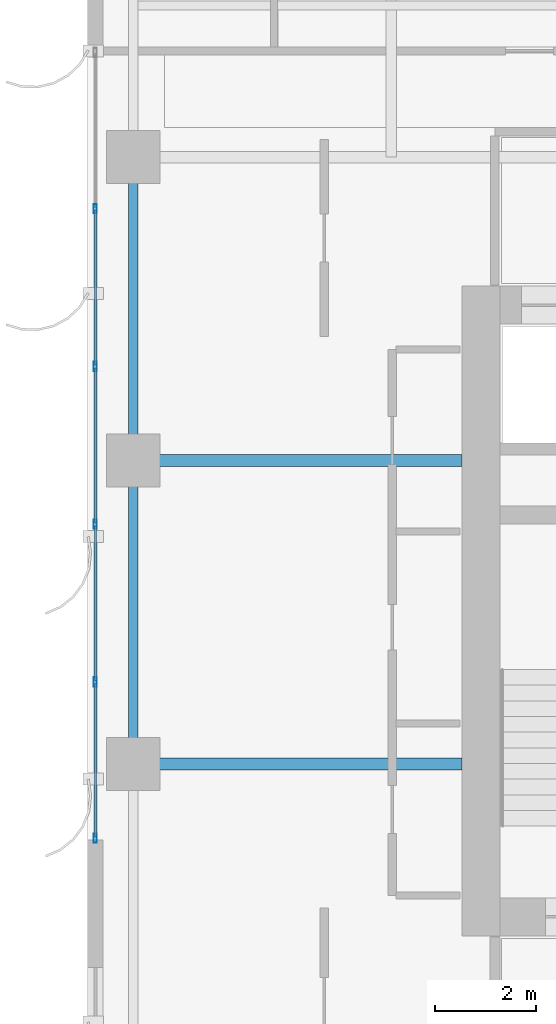
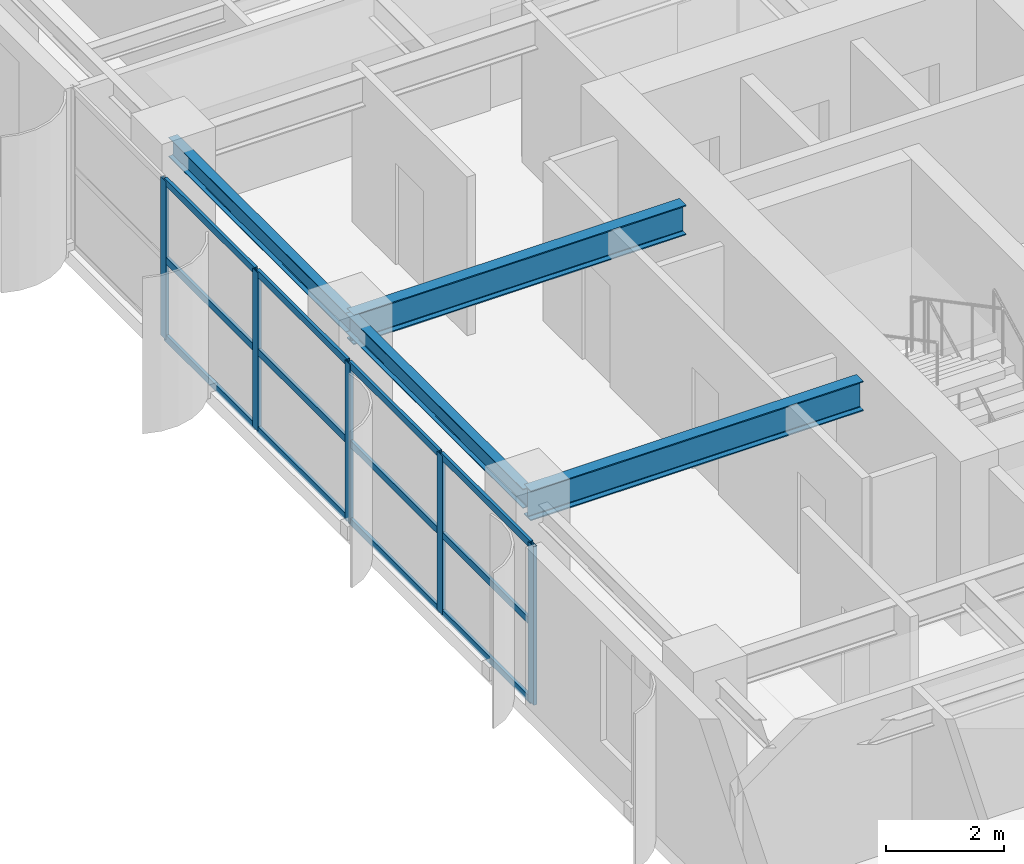
# One storey, part 7 of 28: 17 members, 4 beams, 1 element without a shape of its own.
"""IFC4 building model written with IfcOpenShell, lengths in metres."""

from ifc_helpers import new_model, si_unit, direction, frame, origin, origin_2d, place, context, subcontext, project, spatial, hollow_rectangle, i_section, extrude, source, transform, mapped, material, layer, layer_set, material_profile, profile_set, type_object, element, aggregate, save


model = new_model("IFC4")

# Units and contexts
model_context = context("Model", 3, precision=1e-05, world=origin(), true_north=direction((0.0, 1.0)))
body_context = subcontext(model_context, "Body", "Model", "MODEL_VIEW")
ifc_project = project(units=[si_unit("LENGTHUNIT", "METRE"), si_unit("AREAUNIT", "SQUARE_METRE"), si_unit("VOLUMEUNIT", "CUBIC_METRE"), si_unit("PLANEANGLEUNIT", "RADIAN"), si_unit("MASSUNIT", "GRAM", prefix="KILO")], contexts=[model_context])

# Site, building, storey
site_placement = place(None, origin())
site = spatial("IfcSite", under=ifc_project, at=site_placement, CompositionType="ELEMENT")
building_placement = place(site_placement, origin())
building = spatial("IfcBuilding", under=site, at=building_placement, Name="Khoralis Quay Care Tower", CompositionType="ELEMENT")
storey_placement = place(building_placement, frame((0.0, 0.0, 144.89990234375)))
storey = spatial("IfcBuildingStorey", under=building, at=storey_placement, Name="L38", CompositionType="ELEMENT", Elevation=144.89990234375)

# Beams
ifc_material_1 = material(Name="Steel S355", Category="steel")
ifc_material_profile_1 = material_profile(ifc_material_1, i_section(OverallWidth=0.179931640625, OverallDepth=0.39990234375, WebThickness=0.008544921875, FlangeThickness=0.013427734375, FilletRadius=0.02099609375, at=origin_2d()), Name="Steel S355")
ifc_profile_set_1 = profile_set([ifc_material_profile_1], Name="Steel S355")
beam_type_1 = type_object("IfcBeamType", Name="BM-IPE400", PredefinedType="SPANDREL", material=ifc_profile_set_1)
shared_shape_1 = source(origin(), body_context, "Body", "SweptSolid", [
    extrude(i_section(OverallWidth=0.179931640625, OverallDepth=0.39990234375, WebThickness=0.008544921875, FlangeThickness=0.013427734375, FilletRadius=0.02099609375, at=origin_2d()), origin(), (0.0, 0.0, 1.0), 6.0),
])
for number, where, z_axis, x_axis, name in (
    (1, (0.89990234375, 18.0, 3.080078125), (0.0, 1.0, 0.0), (-1.0, 0.0, 0.0), "BM-TSP-L38-13"),
    (2, (0.89990234375, 24.0, 3.080078125), (0.0, 1.0, 0.0), (-1.0, 0.0, 0.0), "BM-TSP-L38-14"),
):
    element("IfcBeam", number, at=place(storey_placement, frame(where, z_axis=z_axis, x_axis=x_axis)), inside=storey, type_object=beam_type_1, Name=name, PredefinedType="SPANDREL", context=body_context, shape_type="MappedRepresentation", body=[
        mapped(shared_shape_1, transform((0.0, 0.0, 0.0), scale=1.0)),
    ])
ifc_material_profile_2 = material_profile(ifc_material_1, i_section(OverallWidth=0.22998046875, OverallDepth=0.616943359375, WebThickness=0.01318359375, FlangeThickness=0.022216796875, FilletRadius=0.01806640625, at=origin_2d()), Name="Steel S355")
ifc_profile_set_2 = profile_set([ifc_material_profile_2], Name="Steel S355")
beam_type_2 = type_object("IfcBeamType", Name="BM-W610X140", PredefinedType="BEAM", material=ifc_profile_set_2)
shared_shape_2 = source(origin(), body_context, "Body", "SweptSolid", [
    extrude(i_section(OverallWidth=0.22998046875, OverallDepth=0.616943359375, WebThickness=0.01318359375, FlangeThickness=0.022216796875, FilletRadius=0.01806640625, at=origin_2d()), origin(), (0.0, 0.0, 1.0), 6.502197265625),
])
for number, where, z_axis, x_axis, name in (
    (3, (0.89990234375, 18.0, 2.9716796875), (1.0, 0.0, 0.0), (0.0, 1.0, 0.0), "BM-TGXW-L38-180"),
    (4, (0.89990234375, 24.0, 2.9716796875), (1.0, 0.0, 0.0), (0.0, 1.0, 0.0), "BM-TGXW-L38-240"),
):
    element("IfcBeam", number, at=place(storey_placement, frame(where, z_axis=z_axis, x_axis=x_axis)), inside=storey, type_object=beam_type_2, Name=name, PredefinedType="BEAM", context=body_context, shape_type="MappedRepresentation", body=[
        mapped(shared_shape_2, transform((0.0, 0.0, 0.0), scale=1.0)),
    ])

# Curtain wall, members
ifc_material_2 = material(Name="Pale anodised aluminium", Category="aluminium")
ifc_layer = layer(ifc_material_2, 0.169921875)
ifc_layer_set = layer_set([ifc_layer], Name="Pale anodised aluminium")
curtain_wall_type = type_object("IfcCurtainWallType", Name="CW-SYS-Z2", PredefinedType="NOTDEFINED", material=ifc_layer_set)
curtain_wall_placement = place(storey_placement, origin())
curtain_wall = element("IfcCurtainWall", 5, at=curtain_wall_placement, inside=storey, type_object=curtain_wall_type, Name="L38 Unitised Curtain Wall CW-L38-P1-E15", PredefinedType="NOTDEFINED")
ifc_material_profile_3 = material_profile(ifc_material_2, hollow_rectangle(XDim=0.06005859375, YDim=0.139892578125, WallThickness=0.00390625, at=origin_2d()), Name="Pale anodised aluminium")
ifc_profile_set_3 = profile_set([ifc_material_profile_3], Name="Pale anodised aluminium")
member_type_1 = type_object("IfcMemberType", Name="CW-TRN-140", PredefinedType="USERDEFINED", material=ifc_profile_set_3)
shared_shape_3 = source(origin(), body_context, "Body", "SweptSolid", [
    extrude(hollow_rectangle(XDim=0.06005859375, YDim=0.139892578125, WallThickness=0.00390625, at=origin_2d()), origin(), (0.0, 0.0, 1.0), 3.030029296875),
])
member_1_placement = place(storey_placement, frame((0.14990234375, 19.590087890625, 0.030029296875), z_axis=(0.0, -1.0, 0.0), x_axis=(1.0, 0.0, 0.0)))
member_1 = element("IfcMember", 6, at=member_1_placement, type_object=member_type_1, Name="CW2 transom 5.1", ObjectType="TRANSOM", PredefinedType="USERDEFINED", context=body_context, shape_type="MappedRepresentation", body=[
    mapped(shared_shape_3, transform((0.0, 0.0, 0.0), scale=1.0)),
])
member_2_placement = place(storey_placement, frame((0.14990234375, 19.590087890625, 1.64013671875), z_axis=(0.0, -1.0, 0.0), x_axis=(1.0, 0.0, 0.0)))
member_2 = element("IfcMember", 7, at=member_2_placement, type_object=member_type_1, Name="CW2 transom 5.2", ObjectType="TRANSOM", PredefinedType="USERDEFINED", context=body_context, shape_type="MappedRepresentation", body=[
    mapped(shared_shape_3, transform((0.0, 0.0, 0.0), scale=1.0)),
])
member_3_placement = place(storey_placement, frame((0.14990234375, 19.590087890625, 3.25), z_axis=(0.0, -1.0, 0.0), x_axis=(1.0, 0.0, 0.0)))
member_3 = element("IfcMember", 8, at=member_3_placement, type_object=member_type_1, Name="CW2 transom 5.3", ObjectType="TRANSOM", PredefinedType="USERDEFINED", context=body_context, shape_type="MappedRepresentation", body=[
    mapped(shared_shape_3, transform((0.0, 0.0, 0.0), scale=1.0)),
])
shared_shape_4 = source(origin(), body_context, "Body", "SweptSolid", [
    extrude(hollow_rectangle(XDim=0.06005859375, YDim=0.139892578125, WallThickness=0.00390625, at=origin_2d()), origin(), (0.0, 0.0, 1.0), 3.06005859375),
])
member_4_placement = place(storey_placement, frame((0.14990234375, 28.949951171875, 0.030029296875), z_axis=(0.0, -1.0, 0.0), x_axis=(1.0, 0.0, 0.0)))
member_4 = element("IfcMember", 9, at=member_4_placement, type_object=member_type_1, Name="CW2 transom 2.1", ObjectType="TRANSOM", PredefinedType="USERDEFINED", context=body_context, shape_type="MappedRepresentation", body=[
    mapped(shared_shape_4, transform((0.0, 0.0, 0.0), scale=1.0)),
])
member_5_placement = place(storey_placement, frame((0.14990234375, 28.949951171875, 1.64013671875), z_axis=(0.0, -1.0, 0.0), x_axis=(1.0, 0.0, 0.0)))
member_5 = element("IfcMember", 10, at=member_5_placement, type_object=member_type_1, Name="CW2 transom 2.2", ObjectType="TRANSOM", PredefinedType="USERDEFINED", context=body_context, shape_type="MappedRepresentation", body=[
    mapped(shared_shape_4, transform((0.0, 0.0, 0.0), scale=1.0)),
])
member_6_placement = place(storey_placement, frame((0.14990234375, 28.949951171875, 3.25), z_axis=(0.0, -1.0, 0.0), x_axis=(1.0, 0.0, 0.0)))
member_6 = element("IfcMember", 11, at=member_6_placement, type_object=member_type_1, Name="CW2 transom 2.3", ObjectType="TRANSOM", PredefinedType="USERDEFINED", context=body_context, shape_type="MappedRepresentation", body=[
    mapped(shared_shape_4, transform((0.0, 0.0, 0.0), scale=1.0)),
])
member_7_placement = place(storey_placement, frame((0.14990234375, 25.830078125, 0.030029296875), z_axis=(0.0, -1.0, 0.0), x_axis=(1.0, 0.0, 0.0)))
member_7 = element("IfcMember", 12, at=member_7_placement, type_object=member_type_1, Name="CW2 transom 3.1", ObjectType="TRANSOM", PredefinedType="USERDEFINED", context=body_context, shape_type="MappedRepresentation", body=[
    mapped(shared_shape_4, transform((0.0, 0.0, 0.0), scale=1.0)),
])
member_8_placement = place(storey_placement, frame((0.14990234375, 25.830078125, 1.64013671875), z_axis=(0.0, -1.0, 0.0), x_axis=(1.0, 0.0, 0.0)))
member_8 = element("IfcMember", 13, at=member_8_placement, type_object=member_type_1, Name="CW2 transom 3.2", ObjectType="TRANSOM", PredefinedType="USERDEFINED", context=body_context, shape_type="MappedRepresentation", body=[
    mapped(shared_shape_4, transform((0.0, 0.0, 0.0), scale=1.0)),
])
member_9_placement = place(storey_placement, frame((0.14990234375, 25.830078125, 3.25), z_axis=(0.0, -1.0, 0.0), x_axis=(1.0, 0.0, 0.0)))
member_9 = element("IfcMember", 14, at=member_9_placement, type_object=member_type_1, Name="CW2 transom 3.3", ObjectType="TRANSOM", PredefinedType="USERDEFINED", context=body_context, shape_type="MappedRepresentation", body=[
    mapped(shared_shape_4, transform((0.0, 0.0, 0.0), scale=1.0)),
])
member_10_placement = place(storey_placement, frame((0.14990234375, 22.7099609375, 0.030029296875), z_axis=(0.0, -1.0, 0.0), x_axis=(1.0, 0.0, 0.0)))
member_10 = element("IfcMember", 15, at=member_10_placement, type_object=member_type_1, Name="CW2 transom 4.1", ObjectType="TRANSOM", PredefinedType="USERDEFINED", context=body_context, shape_type="MappedRepresentation", body=[
    mapped(shared_shape_4, transform((0.0, 0.0, 0.0), scale=1.0)),
])
member_11_placement = place(storey_placement, frame((0.14990234375, 22.7099609375, 1.64013671875), z_axis=(0.0, -1.0, 0.0), x_axis=(1.0, 0.0, 0.0)))
member_11 = element("IfcMember", 16, at=member_11_placement, type_object=member_type_1, Name="CW2 transom 4.2", ObjectType="TRANSOM", PredefinedType="USERDEFINED", context=body_context, shape_type="MappedRepresentation", body=[
    mapped(shared_shape_4, transform((0.0, 0.0, 0.0), scale=1.0)),
])
member_12_placement = place(storey_placement, frame((0.14990234375, 22.7099609375, 3.25), z_axis=(0.0, -1.0, 0.0), x_axis=(1.0, 0.0, 0.0)))
member_12 = element("IfcMember", 17, at=member_12_placement, type_object=member_type_1, Name="CW2 transom 4.3", ObjectType="TRANSOM", PredefinedType="USERDEFINED", context=body_context, shape_type="MappedRepresentation", body=[
    mapped(shared_shape_4, transform((0.0, 0.0, 0.0), scale=1.0)),
])
ifc_material_profile_4 = material_profile(ifc_material_2, hollow_rectangle(XDim=0.06494140625, YDim=0.179931640625, WallThickness=0.00390625, at=origin_2d()), Name="Pale anodised aluminium")
ifc_profile_set_4 = profile_set([ifc_material_profile_4], Name="Pale anodised aluminium")
member_type_2 = type_object("IfcMemberType", Name="CW-MUL-180", PredefinedType="MULLION", material=ifc_profile_set_4)
shared_shape_5 = source(origin(), body_context, "Body", "SweptSolid", [
    extrude(hollow_rectangle(XDim=0.06494140625, YDim=0.179931640625, WallThickness=0.00390625, at=origin_2d()), origin(), (0.0, 0.0, 1.0), 3.280029296875),
])
member_13_placement = place(storey_placement, frame((0.14990234375, 28.97998046875, 0.0), z_axis=(0.0, 0.0, 1.0), x_axis=(1.0, 0.0, 0.0)))
member_13 = element("IfcMember", 18, at=member_13_placement, type_object=member_type_2, Name="CW2 mullion 2", PredefinedType="MULLION", context=body_context, shape_type="MappedRepresentation", body=[
    mapped(shared_shape_5, transform((0.0, 0.0, 0.0), scale=1.0)),
])
member_14_placement = place(storey_placement, frame((0.14990234375, 25.860107421875, 0.0), z_axis=(0.0, 0.0, 1.0), x_axis=(1.0, 0.0, 0.0)))
member_14 = element("IfcMember", 19, at=member_14_placement, type_object=member_type_2, Name="CW2 mullion 3", PredefinedType="MULLION", context=body_context, shape_type="MappedRepresentation", body=[
    mapped(shared_shape_5, transform((0.0, 0.0, 0.0), scale=1.0)),
])
member_15_placement = place(storey_placement, frame((0.14990234375, 22.739990234375, 0.0), z_axis=(0.0, 0.0, 1.0), x_axis=(1.0, 0.0, 0.0)))
member_15 = element("IfcMember", 20, at=member_15_placement, type_object=member_type_2, Name="CW2 mullion 4", PredefinedType="MULLION", context=body_context, shape_type="MappedRepresentation", body=[
    mapped(shared_shape_5, transform((0.0, 0.0, 0.0), scale=1.0)),
])
member_16_placement = place(storey_placement, frame((0.14990234375, 19.6201171875, 0.0), z_axis=(0.0, 0.0, 1.0), x_axis=(1.0, 0.0, 0.0)))
member_16 = element("IfcMember", 21, at=member_16_placement, type_object=member_type_2, Name="CW2 mullion 5", PredefinedType="MULLION", context=body_context, shape_type="MappedRepresentation", body=[
    mapped(shared_shape_5, transform((0.0, 0.0, 0.0), scale=1.0)),
])
member_17_placement = place(storey_placement, frame((0.14990234375, 16.530029296875, 0.0), z_axis=(0.0, 0.0, 1.0), x_axis=(1.0, 0.0, 0.0)))
member_17 = element("IfcMember", 22, at=member_17_placement, type_object=member_type_2, Name="CW2 mullion 6", PredefinedType="MULLION", context=body_context, shape_type="MappedRepresentation", body=[
    mapped(shared_shape_5, transform((0.0, 0.0, 0.0), scale=1.0)),
])
aggregate(curtain_wall, [member_13, member_14, member_15, member_16, member_17, member_4, member_5, member_6, member_7, member_8, member_9, member_10, member_11, member_12, member_1, member_2, member_3])

save(model, "model.ifc")
